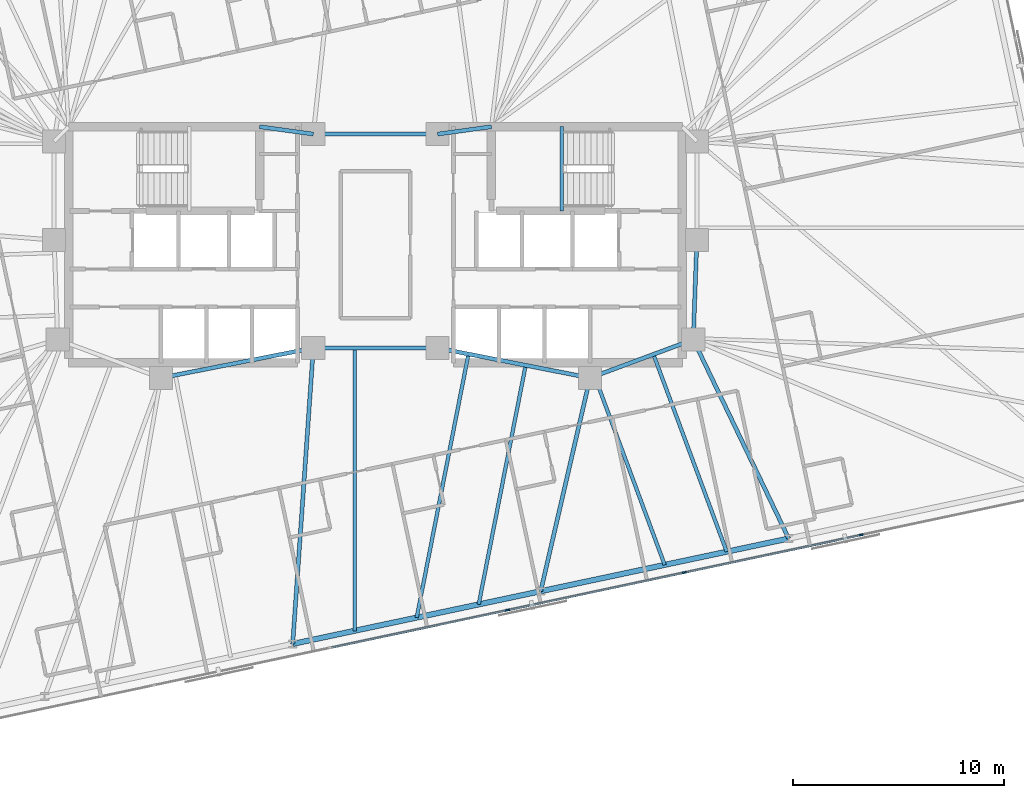
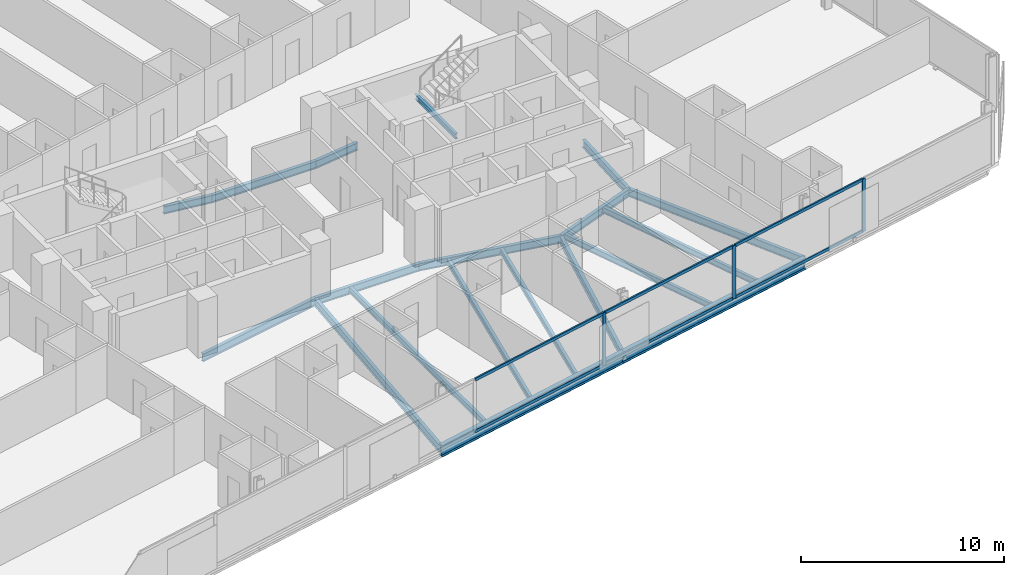
# One storey, part 7 of 20: 19 beams, 9 members, 1 element without a shape of its own.
"""IFC4 building model written with IfcOpenShell, lengths in metres."""

from ifc_helpers import new_model, si_unit, direction, frame, origin, origin_2d, place, context, subcontext, project, spatial, rectangle, i_section, extrude, material, material_profile, profile_set, type_object, element, aggregate, save


model = new_model("IFC4")

# Units and contexts
model_context = context("Model", 3, precision=1e-05, world=origin(), true_north=direction((0.0, 1.0)))
body_context = subcontext(model_context, "Body", "Model", "MODEL_VIEW")
ifc_project = project(units=[si_unit("LENGTHUNIT", "METRE"), si_unit("AREAUNIT", "SQUARE_METRE"), si_unit("VOLUMEUNIT", "CUBIC_METRE"), si_unit("PLANEANGLEUNIT", "RADIAN"), si_unit("MASSUNIT", "GRAM", prefix="KILO")], contexts=[model_context])

# Site, building, storey
site_placement = place(None, origin())
site = spatial("IfcSite", under=ifc_project, at=site_placement, CompositionType="ELEMENT")
building_placement = place(site_placement, origin())
building = spatial("IfcBuilding", under=site, at=building_placement, Name="Menara Jurai Vektor", CompositionType="ELEMENT")
storey_placement = place(building_placement, frame((0.0, 0.0, 185.39990234375)))
storey = spatial("IfcBuildingStorey", under=building, at=storey_placement, Name="L48", CompositionType="ELEMENT", Elevation=185.39990234375)

# Curtain wall, members
ifc_material_1 = material(Name="Anodised Pale Aluminium & Low-E Double Glazing", Category="aluminium")
curtain_wall_type = type_object("IfcCurtainWallType", Name="CW-BLK3", PredefinedType="NOTDEFINED", material=ifc_material_1)
curtain_wall_placement = place(storey_placement, origin())
curtain_wall = element("IfcCurtainWall", 1, at=curtain_wall_placement, inside=storey, type_object=curtain_wall_type, Name="Unitised Curtain Wall L48 F01", PredefinedType="NOTDEFINED")
ifc_material_2 = material(Name="Anodised Pale Aluminium Mullion", Category="aluminium")
ifc_material_profile_1 = material_profile(ifc_material_2, rectangle(XDim=0.0849609375, YDim=0.205078125, at=origin_2d()), Name="ALU MUL 85x205")
ifc_profile_set_1 = profile_set([ifc_material_profile_1], Name="Anodised Pale Aluminium Mullion")
member_type_1 = type_object("IfcMemberType", Name="CW-BLK3-MUL", PredefinedType="MULLION", material=ifc_profile_set_1)
member_1_placement = place(storey_placement, frame((6.264892578125, -17.338623046875, 0.0), z_axis=(0.0, 0.0, 1.0), x_axis=(-0.207911344156, 0.978147674419, 0.0)))
member_1 = element("IfcMember", 2, at=member_1_placement, type_object=member_type_1, Name="CW-03 mullion 5", PredefinedType="MULLION", context=body_context, shape_type="SweptSolid", body=[
    extrude(rectangle(XDim=0.0849609375, YDim=0.205078125, at=origin_2d()), origin(), (0.0, 0.0, 1.0), 3.175048828125),
])
member_2_placement = place(storey_placement, frame((14.65478515625, -15.55517578125, 0.0), z_axis=(0.0, 0.0, 1.0), x_axis=(-0.207911344156, 0.978147674419, 0.0)))
member_2 = element("IfcMember", 3, at=member_2_placement, type_object=member_type_1, Name="CW-03 mullion 6", PredefinedType="MULLION", context=body_context, shape_type="SweptSolid", body=[
    extrude(rectangle(XDim=0.0849609375, YDim=0.205078125, at=origin_2d()), origin(), (0.0, 0.0, 1.0), 3.175048828125),
])
member_3_placement = place(storey_placement, frame((23.04443359375, -13.77197265625, 0.0), z_axis=(0.0, 0.0, 1.0), x_axis=(-0.207911344156, 0.978147674419, 0.0)))
member_3 = element("IfcMember", 4, at=member_3_placement, type_object=member_type_1, Name="CW-03 mullion 7", PredefinedType="MULLION", context=body_context, shape_type="SweptSolid", body=[
    extrude(rectangle(XDim=0.0849609375, YDim=0.205078125, at=origin_2d()), origin(), (0.0, 0.0, 1.0), 3.175048828125),
])
ifc_material_3 = material(Name="Anodised Pale Aluminium Transom", Category="aluminium")
ifc_material_profile_2 = material_profile(ifc_material_3, rectangle(XDim=0.0849609375, YDim=0.175048828125, at=origin_2d()), Name="ALU TRN 85x175")
ifc_profile_set_2 = profile_set([ifc_material_profile_2], Name="Anodised Pale Aluminium Transom")
member_type_2 = type_object("IfcMemberType", Name="CW-BLK3-TRN", PredefinedType="USERDEFINED", material=ifc_profile_set_2)
member_4_placement = place(storey_placement, frame((-2.083251953125, -19.113037109375, 0.04248046875), z_axis=(0.978147743708, 0.207911018178, 0.0), x_axis=(-0.207911018178, 0.978147743708, 0.0)))
member_4 = element("IfcMember", 5, at=member_4_placement, type_object=member_type_2, Name="CW-03 transom 4.1", ObjectType="TRANSOM", PredefinedType="USERDEFINED", context=body_context, shape_type="SweptSolid", body=[
    extrude(rectangle(XDim=0.0849609375, YDim=0.175048828125, at=origin_2d()), origin(), (0.0, 0.0, 1.0), 8.4921875),
])
member_5_placement = place(storey_placement, frame((-2.083251953125, -19.113037109375, 3.132568359375), z_axis=(0.978147743708, 0.207911018178, 0.0), x_axis=(-0.207911018178, 0.978147743708, 0.0)))
member_5 = element("IfcMember", 6, at=member_5_placement, type_object=member_type_2, Name="CW-03 transom 4.2", ObjectType="TRANSOM", PredefinedType="USERDEFINED", context=body_context, shape_type="SweptSolid", body=[
    extrude(rectangle(XDim=0.0849609375, YDim=0.175048828125, at=origin_2d()), origin(), (0.0, 0.0, 1.0), 8.4921875),
])
member_6_placement = place(storey_placement, frame((6.306640625, -17.329833984375, 0.04248046875), z_axis=(0.978146500933, 0.207916864907, 0.0), x_axis=(-0.207916864907, 0.978146500933, 0.0)))
member_6 = element("IfcMember", 7, at=member_6_placement, type_object=member_type_2, Name="CW-03 transom 5.1", ObjectType="TRANSOM", PredefinedType="USERDEFINED", context=body_context, shape_type="SweptSolid", body=[
    extrude(rectangle(XDim=0.0849609375, YDim=0.175048828125, at=origin_2d()), origin(), (0.0, 0.0, 1.0), 8.491943359375),
])
member_7_placement = place(storey_placement, frame((6.306640625, -17.329833984375, 3.132568359375), z_axis=(0.978146500933, 0.207916864907, 0.0), x_axis=(-0.207916864907, 0.978146500933, 0.0)))
member_7 = element("IfcMember", 8, at=member_7_placement, type_object=member_type_2, Name="CW-03 transom 5.2", ObjectType="TRANSOM", PredefinedType="USERDEFINED", context=body_context, shape_type="SweptSolid", body=[
    extrude(rectangle(XDim=0.0849609375, YDim=0.175048828125, at=origin_2d()), origin(), (0.0, 0.0, 1.0), 8.491943359375),
])
member_8_placement = place(storey_placement, frame((14.6962890625, -15.54638671875, 0.04248046875), z_axis=(0.978147743708, 0.207911018178, 0.0), x_axis=(-0.207911018178, 0.978147743708, 0.0)))
member_8 = element("IfcMember", 9, at=member_8_placement, type_object=member_type_2, Name="CW-03 transom 6.1", ObjectType="TRANSOM", PredefinedType="USERDEFINED", context=body_context, shape_type="SweptSolid", body=[
    extrude(rectangle(XDim=0.0849609375, YDim=0.175048828125, at=origin_2d()), origin(), (0.0, 0.0, 1.0), 8.4921875),
])
member_9_placement = place(storey_placement, frame((14.6962890625, -15.54638671875, 3.132568359375), z_axis=(0.978147743708, 0.207911018178, 0.0), x_axis=(-0.207911018178, 0.978147743708, 0.0)))
member_9 = element("IfcMember", 10, at=member_9_placement, type_object=member_type_2, Name="CW-03 transom 6.2", ObjectType="TRANSOM", PredefinedType="USERDEFINED", context=body_context, shape_type="SweptSolid", body=[
    extrude(rectangle(XDim=0.0849609375, YDim=0.175048828125, at=origin_2d()), origin(), (0.0, 0.0, 1.0), 8.4921875),
])
aggregate(curtain_wall, [member_1, member_2, member_3, member_4, member_5, member_6, member_7, member_8, member_9])

# Beams
ifc_material_4 = material(Name="Steel S355", Category="steel")
ifc_material_profile_3 = material_profile(ifc_material_4, i_section(OverallWidth=0.19091796875, OverallDepth=0.4599609375, WebThickness=0.010009765625, FlangeThickness=0.01611328125, FilletRadius=0.010009765625, at=origin_2d()), Name="UKB 457x191x82")
ifc_profile_set_3 = profile_set([ifc_material_profile_3], Name="Steel S355")
beam_type_1 = type_object("IfcBeamType", Name="STR-BM-457", PredefinedType="BEAM", material=ifc_profile_set_3)
beam_1_placement = place(storey_placement, frame((-5.5, 5.60009765625, -0.454833984375), z_axis=(0.990706818608, -0.136014703483, 0.0), x_axis=(0.136014703483, 0.990706818608, 0.0)))
element("IfcBeam", 11, at=beam_1_placement, inside=storey, type_object=beam_type_1, Name="Core Ring Header Girder L48-CHW-N2", PredefinedType="BEAM", context=body_context, shape_type="SweptSolid", body=[
    extrude(i_section(OverallWidth=0.19091796875, OverallDepth=0.4599609375, WebThickness=0.010009765625, FlangeThickness=0.01611328125, FilletRadius=0.010009765625, at=origin_2d()), origin(), (0.0, 0.0, 1.0), 2.573974609375),
])
beam_2_placement = place(storey_placement, frame((-10.179931640625, -6.320068359375, -0.454833984375), z_axis=(0.981249044334, 0.192744164614, 0.0), x_axis=(-0.192744164614, 0.981249044334, 0.0)))
element("IfcBeam", 12, at=beam_2_placement, inside=storey, type_object=beam_type_1, Name="Core Ring Header Girder L48-CHW-S2", PredefinedType="BEAM", context=body_context, shape_type="SweptSolid", body=[
    extrude(i_section(OverallWidth=0.19091796875, OverallDepth=0.4599609375, WebThickness=0.010009765625, FlangeThickness=0.01611328125, FilletRadius=0.010009765625, at=origin_2d()), origin(), (0.0, 0.0, 1.0), 7.3681640625),
])
beam_3_placement = place(storey_placement, frame((2.949951171875, 5.25, -0.454833984375), z_axis=(0.990706818608, 0.136014703483, 0.0), x_axis=(-0.136014703483, 0.990706818608, 0.0)))
element("IfcBeam", 13, at=beam_3_placement, inside=storey, type_object=beam_type_1, Name="Core Ring Header Girder L48-CHE-N1", PredefinedType="BEAM", context=body_context, shape_type="SweptSolid", body=[
    extrude(i_section(OverallWidth=0.19091796875, OverallDepth=0.4599609375, WebThickness=0.010009765625, FlangeThickness=0.01611328125, FilletRadius=0.010009765625, at=origin_2d()), origin(), (0.0, 0.0, 1.0), 2.573974609375),
])
beam_4_placement = place(storey_placement, frame((15.080078125, -4.5, -0.454833984375), z_axis=(0.035977314146, 0.999352606874, 0.0), x_axis=(-0.999352606874, 0.035977314146, 0.0)))
element("IfcBeam", 14, at=beam_4_placement, inside=storey, type_object=beam_type_1, Name="Core Ring Header Girder L48-CHE-E2", PredefinedType="BEAM", context=body_context, shape_type="SweptSolid", body=[
    extrude(i_section(OverallWidth=0.19091796875, OverallDepth=0.4599609375, WebThickness=0.010009765625, FlangeThickness=0.01611328125, FilletRadius=0.010009765625, at=origin_2d()), origin(), (0.0, 0.0, 1.0), 4.72314453125),
])
beam_5_placement = place(storey_placement, frame((10.179931640625, -6.320068359375, -0.454833984375), z_axis=(0.937424400887, 0.348188874925, 0.0), x_axis=(-0.348188874925, 0.937424400887, 0.0)))
element("IfcBeam", 15, at=beam_5_placement, inside=storey, type_object=beam_type_1, Name="Core Ring Header Girder L48-CHE-S1", PredefinedType="BEAM", context=body_context, shape_type="SweptSolid", body=[
    extrude(i_section(OverallWidth=0.19091796875, OverallDepth=0.4599609375, WebThickness=0.010009765625, FlangeThickness=0.01611328125, FilletRadius=0.010009765625, at=origin_2d()), origin(), (0.0, 0.0, 1.0), 5.227294921875),
])
beam_6_placement = place(storey_placement, frame((2.949951171875, -4.89990234375, -0.454833984375), z_axis=(0.981249044334, -0.192744164614, 0.0), x_axis=(0.192744164614, 0.981249044334, 0.0)))
element("IfcBeam", 16, at=beam_6_placement, inside=storey, type_object=beam_type_1, Name="Core Ring Header Girder L48-CHE-S2", PredefinedType="BEAM", context=body_context, shape_type="SweptSolid", body=[
    extrude(i_section(OverallWidth=0.19091796875, OverallDepth=0.4599609375, WebThickness=0.010009765625, FlangeThickness=0.01611328125, FilletRadius=0.010009765625, at=origin_2d()), origin(), (0.0, 0.0, 1.0), 7.3681640625),
])
for number, where, z_axis, x_axis, name in (
    (17, (-2.949951171875, -4.89990234375, -0.454833984375), (1.0, 0.0, 0.0), (0.0, 1.0, 0.0), "Core Ring Header Girder L48-CC-1"),
    (18, (-2.949951171875, 5.25, -0.454833984375), (1.0, 0.0, 0.0), (0.0, 1.0, 0.0), "Core Ring Header Girder L48-CC-2"),
):
    element("IfcBeam", number, at=place(storey_placement, frame(where, z_axis=z_axis, x_axis=x_axis)), inside=storey, type_object=beam_type_1, Name=name, PredefinedType="BEAM", context=body_context, shape_type="SweptSolid", body=[
        extrude(i_section(OverallWidth=0.19091796875, OverallDepth=0.4599609375, WebThickness=0.010009765625, FlangeThickness=0.01611328125, FilletRadius=0.010009765625, at=origin_2d()), origin(), (0.0, 0.0, 1.0), 5.89990234375),
    ])
beam_7_placement = place(storey_placement, frame((-3.928466796875, -18.94287109375, -0.454833984375), z_axis=(0.06951156523, 0.997581145722, 0.0), x_axis=(-0.997581145722, 0.06951156523, 0.0)))
element("IfcBeam", 19, at=beam_7_placement, inside=storey, type_object=beam_type_1, Name="Radial Floor Girder L48-S3", PredefinedType="BEAM", context=body_context, shape_type="SweptSolid", body=[
    extrude(i_section(OverallWidth=0.19091796875, OverallDepth=0.4599609375, WebThickness=0.010009765625, FlangeThickness=0.01611328125, FilletRadius=0.010009765625, at=origin_2d()), origin(), (0.0, 0.0, 1.0), 14.076904296875),
])
beam_8_placement = place(storey_placement, frame((7.83984375, -16.44140625, -0.454833984375), z_axis=(0.225261124248, 0.974298427538, 0.0), x_axis=(-0.974298427538, 0.225261124248, 0.0)))
element("IfcBeam", 20, at=beam_8_placement, inside=storey, type_object=beam_type_1, Name="Radial Floor Girder L48-S4", PredefinedType="BEAM", context=body_context, shape_type="SweptSolid", body=[
    extrude(i_section(OverallWidth=0.19091796875, OverallDepth=0.4599609375, WebThickness=0.010009765625, FlangeThickness=0.01611328125, FilletRadius=0.010009765625, at=origin_2d()), origin(), (0.0, 0.0, 1.0), 10.388427734375),
])
beam_9_placement = place(storey_placement, frame((19.608154296875, -13.940185546875, -0.454833984375), z_axis=(-0.432481646932, 0.901642736935, 0.0), x_axis=(-0.901642736935, -0.432481646932, 0.0)))
element("IfcBeam", 21, at=beam_9_placement, inside=storey, type_object=beam_type_1, Name="Radial Floor Girder L48-S5", PredefinedType="BEAM", context=body_context, shape_type="SweptSolid", body=[
    extrude(i_section(OverallWidth=0.19091796875, OverallDepth=0.4599609375, WebThickness=0.010009765625, FlangeThickness=0.01611328125, FilletRadius=0.010009765625, at=origin_2d()), origin(), (0.0, 0.0, 1.0), 10.469970703125),
])
ifc_material_profile_4 = material_profile(ifc_material_4, i_section(OverallWidth=0.172119140625, OverallDepth=0.35498046875, WebThickness=0.007080078125, FlangeThickness=0.011962890625, FilletRadius=0.010009765625, at=origin_2d()), Name="UKB 356x171x51")
ifc_profile_set_4 = profile_set([ifc_material_profile_4], Name="Steel S355")
beam_type_2 = type_object("IfcBeamType", Name="STR-JS-356", PredefinedType="JOIST", material=ifc_profile_set_4)
beam_10_placement = place(storey_placement, frame((-0.986328125, -18.3173828125, -0.40234375), z_axis=(0.0, 1.0, 0.0), x_axis=(-1.0, 0.0, 0.0)))
element("IfcBeam", 22, at=beam_10_placement, inside=storey, type_object=beam_type_2, Name="Radial Secondary Floor Joist L48-JS05", PredefinedType="JOIST", context=body_context, shape_type="SweptSolid", body=[
    extrude(i_section(OverallWidth=0.172119140625, OverallDepth=0.35498046875, WebThickness=0.007080078125, FlangeThickness=0.011962890625, FilletRadius=0.010009765625, at=origin_2d()), origin(), (0.0, 0.0, 1.0), 13.41748046875),
])
beam_11_placement = place(storey_placement, frame((1.955810546875, -17.692138671875, -0.40234375), z_axis=(0.192721917664, 0.981253413982, 0.0), x_axis=(-0.981253413982, 0.192721917664, 0.0)))
element("IfcBeam", 23, at=beam_11_placement, inside=storey, type_object=beam_type_2, Name="Radial Secondary Floor Joist L48-JS06", PredefinedType="JOIST", context=body_context, shape_type="SweptSolid", body=[
    extrude(i_section(OverallWidth=0.172119140625, OverallDepth=0.35498046875, WebThickness=0.007080078125, FlangeThickness=0.011962890625, FilletRadius=0.010009765625, at=origin_2d()), origin(), (0.0, 0.0, 1.0), 12.744140625),
])
beam_12_placement = place(storey_placement, frame((4.897705078125, -17.06689453125, -0.40234375), z_axis=(0.19272061905, 0.981253669034, 0.0), x_axis=(-0.981253669034, 0.19272061905, 0.0)))
element("IfcBeam", 24, at=beam_12_placement, inside=storey, type_object=beam_type_2, Name="Radial Secondary Floor Joist L48-JS07", PredefinedType="JOIST", context=body_context, shape_type="SweptSolid", body=[
    extrude(i_section(OverallWidth=0.172119140625, OverallDepth=0.35498046875, WebThickness=0.007080078125, FlangeThickness=0.011962890625, FilletRadius=0.010009765625, at=origin_2d()), origin(), (0.0, 0.0, 1.0), 11.5634765625),
])
beam_13_placement = place(storey_placement, frame((13.72412109375, -15.19091796875, -0.40234375), z_axis=(-0.348196799641, 0.93742145736, 0.0), x_axis=(-0.93742145736, -0.348196799641, 0.0)))
element("IfcBeam", 25, at=beam_13_placement, inside=storey, type_object=beam_type_2, Name="Radial Secondary Floor Joist L48-JS08", PredefinedType="JOIST", context=body_context, shape_type="SweptSolid", body=[
    extrude(i_section(OverallWidth=0.172119140625, OverallDepth=0.35498046875, WebThickness=0.007080078125, FlangeThickness=0.011962890625, FilletRadius=0.010009765625, at=origin_2d()), origin(), (0.0, 0.0, 1.0), 9.5498046875),
])
beam_14_placement = place(storey_placement, frame((16.666015625, -14.5654296875, -0.40234375), z_axis=(-0.348180392292, 0.93742755156, 0.0), x_axis=(-0.93742755156, -0.348180392292, 0.0)))
element("IfcBeam", 26, at=beam_14_placement, inside=storey, type_object=beam_type_2, Name="Radial Secondary Floor Joist L48-JS09", PredefinedType="JOIST", context=body_context, shape_type="SweptSolid", body=[
    extrude(i_section(OverallWidth=0.172119140625, OverallDepth=0.35498046875, WebThickness=0.007080078125, FlangeThickness=0.011962890625, FilletRadius=0.010009765625, at=origin_2d()), origin(), (0.0, 0.0, 1.0), 9.98779296875),
])
ifc_material_profile_5 = material_profile(ifc_material_4, i_section(OverallWidth=0.1650390625, OverallDepth=0.302978515625, WebThickness=0.006103515625, FlangeThickness=0.010009765625, FilletRadius=0.009033203125, at=origin_2d()), Name="UKB 305x165x40")
ifc_profile_set_5 = profile_set([ifc_material_profile_5], Name="Steel S355")
beam_type_3 = type_object("IfcBeamType", Name="STR-LN-305", PredefinedType="LINTEL", material=ifc_profile_set_5)
beam_15_placement = place(storey_placement, frame((8.830078125, 1.60009765625, 1.3486328125), z_axis=(0.0, 1.0, 0.0), x_axis=(-1.0, 0.0, 0.0)))
element("IfcBeam", 27, at=beam_15_placement, inside=storey, type_object=beam_type_3, Name="Stair Half-Landing Nosing Trimmer ST2-1 L48", PredefinedType="LINTEL", context=body_context, shape_type="SweptSolid", body=[
    extrude(i_section(OverallWidth=0.1650390625, OverallDepth=0.302978515625, WebThickness=0.006103515625, FlangeThickness=0.010009765625, FilletRadius=0.009033203125, at=origin_2d()), origin(), (0.0, 0.0, 1.0), 4.0),
])
ifc_material_5 = material(Name="Steel S460", Category="steel")
ifc_material_profile_6 = material_profile(ifc_material_5, i_section(OverallWidth=0.256103515625, OverallDepth=0.693115234375, WebThickness=0.013916015625, FlangeThickness=0.02392578125, FilletRadius=0.014892578125, at=origin_2d()), Name="UKB 686x254x170")
ifc_profile_set_6 = profile_set([ifc_material_profile_6], Name="Steel S460")
beam_type_4 = type_object("IfcBeamType", Name="STR-SP-686", PredefinedType="SPANDREL", material=ifc_profile_set_6)
for number, where, z_axis, x_axis, name in (
    (28, (-3.928466796875, -18.94287109375, -0.5712890625), (0.978147039247, 0.207914332389, 0.0), (-0.207914332389, 0.978147039247, 0.0), "Exoskeleton Spandrel Beam L48-03"),
    (29, (7.83984375, -16.44140625, -0.5712890625), (0.978151165921, 0.207894917222, 0.0), (-0.207894917222, 0.978151165921, 0.0), "Exoskeleton Spandrel Beam L48-04"),
):
    element("IfcBeam", number, at=place(storey_placement, frame(where, z_axis=z_axis, x_axis=x_axis)), inside=storey, type_object=beam_type_4, Name=name, PredefinedType="SPANDREL", context=body_context, shape_type="SweptSolid", body=[
        extrude(i_section(OverallWidth=0.256103515625, OverallDepth=0.693115234375, WebThickness=0.013916015625, FlangeThickness=0.02392578125, FilletRadius=0.014892578125, at=origin_2d()), origin(), (0.0, 0.0, 1.0), 12.03125),
    ])

save(model, "model.ifc")
